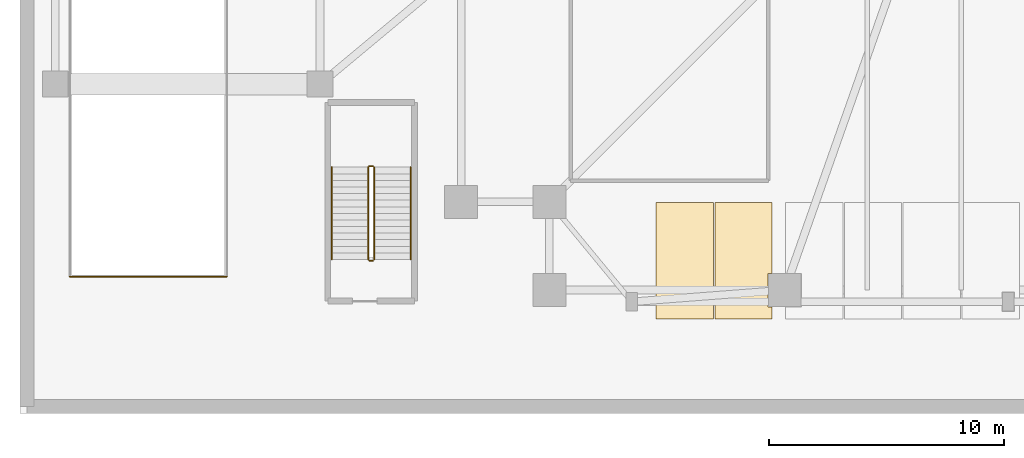
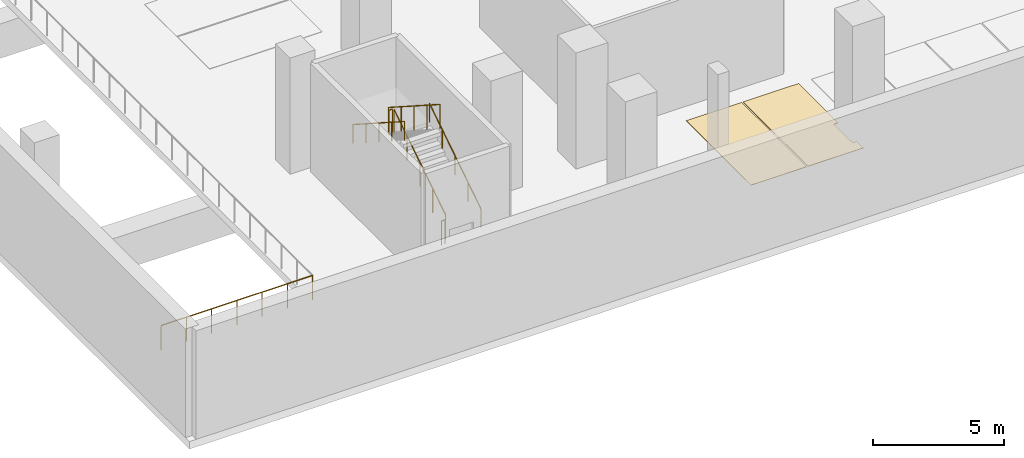
# One storey, part 8 of 14: 7 railings, 2 coverings.
"""IFC4 building model written with IfcOpenShell, lengths in metres."""

from ifc_helpers import new_model, si_unit, direction, frame, origin, origin_2d, place, context, subcontext, project, spatial, polyline, circle, outline, extrude, material, layer, layer_set, type_object, element, save


model = new_model("IFC4")

# Units and contexts
model_context = context("Model", 3, precision=1e-05, world=origin(), true_north=direction((0.0, 1.0)))
body_context = subcontext(model_context, "Body", "Model", "MODEL_VIEW")
ifc_project = project(units=[si_unit("LENGTHUNIT", "METRE"), si_unit("AREAUNIT", "SQUARE_METRE"), si_unit("VOLUMEUNIT", "CUBIC_METRE"), si_unit("PLANEANGLEUNIT", "RADIAN"), si_unit("MASSUNIT", "GRAM", prefix="KILO")], contexts=[model_context])

# Site, building, storey
site_placement = place(None, origin())
site = spatial("IfcSite", under=ifc_project, at=site_placement, CompositionType="ELEMENT")
building_placement = place(site_placement, origin())
building = spatial("IfcBuilding", under=site, at=building_placement, Name="Trevonay Congress Spire", CompositionType="ELEMENT")
storey_placement = place(building_placement, frame((0.0, 0.0, -5.39990234375)))
storey = spatial("IfcBuildingStorey", under=building, at=storey_placement, Name="B1", CompositionType="ELEMENT", Elevation=-5.39990234375)

# Coverings
ifc_material_1 = material(Name="Polished Granite Floor Tile", Category="masonry")
ifc_layer = layer(ifc_material_1, 0.02001953125, Name="Polished Granite Floor Tile")
ifc_layer_set = layer_set([ifc_layer], Name="Polished Granite Floor Tile")
covering_type = type_object("IfcCoveringType", Name="COV-FLOOR-STONE", PredefinedType="FLOORING", material=ifc_layer_set)
covering_1_placement = place(storey_placement, origin())
element("IfcCovering", 1, at=covering_1_placement, inside=storey, type_object=covering_type, Name="B1 Standard Parking Bay PK-25 floor finish", PredefinedType="FLOORING", context=body_context, shape_type="SweptSolid", body=[
    extrude(outline(polyline([(-14.969970703125, -24.469970703125), (-12.530029296875, -24.469970703125), (-12.530029296875, -19.530029296875), (-14.969970703125, -19.530029296875), (-14.969970703125, -24.469970703125)])), origin(), (0.0, 0.0, 1.0), 0.02001953125),
])
covering_2_placement = place(storey_placement, origin())
element("IfcCovering", 2, at=covering_2_placement, inside=storey, type_object=covering_type, Name="B1 Standard Parking Bay PK-26 floor finish", PredefinedType="FLOORING", context=body_context, shape_type="SweptSolid", body=[
    extrude(outline(polyline([(-10.030029296875, -24.469970703125), (-12.469970703125, -24.469970703125), (-12.469970703125, -19.530029296875), (-10.030029296875, -19.530029296875), (-10.030029296875, -22.5400390625), (-10.2099609375, -22.5400390625), (-10.2099609375, -23.9599609375), (-10.030029296875, -23.9599609375), (-10.030029296875, -24.469970703125)])), origin(), (0.0, 0.0, 1.0), 0.02001953125),
])

# Railings
ifc_material_2 = material(Name="Pale Anodised Aluminium EN AW-6063-T6", Category="aluminium")
railing_type_1 = type_object("IfcRailingType", Name="RAL-EXT-GUARD-115", PredefinedType="GUARDRAIL", material=ifc_material_2)
railing_1_placement = place(storey_placement, frame((-39.8798828125, -22.679931640625, 0.0)))
element("IfcRailing", 3, at=railing_1_placement, inside=storey, type_object=railing_type_1, Name="B1 perimeter safety guard GRD-B1-RAMPWELL-2", PredefinedType="GUARDRAIL", context=body_context, shape_type="SweptSolid", body=[
    extrude(circle(Radius=0.02392578125, at=origin_2d()), frame((0.0, 0.0, 1.1259765625), z_axis=(1.0, 0.0, 0.0), x_axis=(0.0, 1.0, 0.0)), (0.0, 0.0, 1.0), 6.659912109375),
    extrude(circle(Radius=0.02099609375, at=origin_2d()), origin(), (0.0, 0.0, 1.0), 1.101806640625),
    extrude(circle(Radius=0.02099609375, at=origin_2d()), frame((1.10986328125, 0.0, 0.0)), (0.0, 0.0, 1.0), 1.101806640625),
    extrude(circle(Radius=0.02099609375, at=origin_2d()), frame((2.219970703125, 0.0, 0.0)), (0.0, 0.0, 1.0), 1.101806640625),
    extrude(circle(Radius=0.02099609375, at=origin_2d()), frame((3.330078125, 0.0, 0.0)), (0.0, 0.0, 1.0), 1.101806640625),
    extrude(circle(Radius=0.02099609375, at=origin_2d()), frame((4.43994140625, 0.0, 0.0)), (0.0, 0.0, 1.0), 1.101806640625),
    extrude(circle(Radius=0.02099609375, at=origin_2d()), frame((5.5498046875, 0.0, 0.0)), (0.0, 0.0, 1.0), 1.101806640625),
    extrude(circle(Radius=0.02099609375, at=origin_2d()), frame((6.659912109375, 0.0, 0.0)), (0.0, 0.0, 1.0), 1.101806640625),
])
railing_type_2 = type_object("IfcRailingType", Name="RAL-STAIR-GUARD-110", PredefinedType="GUARDRAIL", material=ifc_material_2)
railing_2_placement = place(storey_placement, frame((-26.949951171875, -21.949951171875, 0.179931640625)))
element("IfcRailing", 4, at=railing_2_placement, inside=storey, type_object=railing_type_2, Name="B1 ST-3 stair guard 1", PredefinedType="GUARDRAIL", context=body_context, shape_type="SweptSolid", body=[
    extrude(circle(Radius=0.02392578125, at=origin_2d()), frame((0.0, 0.0, 1.1259765625), z_axis=(0.0, 0.841171666519, 0.540768182723), x_axis=(-1.0, 0.0, 0.0)), (0.0, 0.0, 1.0), 4.66015625),
    extrude(circle(Radius=0.02099609375, at=origin_2d()), origin(), (0.0, 0.0, 1.0), 1.101806640625),
    extrude(circle(Radius=0.02099609375, at=origin_2d()), frame((0.0, 0.97998046875, 0.6298828125)), (0.0, 0.0, 1.0), 1.101806640625),
    extrude(circle(Radius=0.02099609375, at=origin_2d()), frame((0.0, 1.9599609375, 1.260009765625)), (0.0, 0.0, 1.0), 1.101806640625),
    extrude(circle(Radius=0.02099609375, at=origin_2d()), frame((0.0, 2.93994140625, 1.89013671875)), (0.0, 0.0, 1.0), 1.101806640625),
    extrude(circle(Radius=0.02099609375, at=origin_2d()), frame((0.0, 3.919921875, 2.52001953125)), (0.0, 0.0, 1.0), 1.101806640625),
])
railing_3_placement = place(storey_placement, frame((-27.0, -17.97998046875, 2.699951171875)))
element("IfcRailing", 5, at=railing_3_placement, inside=storey, type_object=railing_type_2, Name="B1 ST-3 stair guard 2", PredefinedType="GUARDRAIL", context=body_context, shape_type="SweptSolid", body=[
    extrude(circle(Radius=0.02392578125, at=origin_2d()), frame((0.0, 0.0, 1.1259765625), z_axis=(-1.0, 0.0, 0.0), x_axis=(0.0, -1.0, 0.0)), (0.0, 0.0, 1.0), 0.14990234375),
    extrude(circle(Radius=0.02099609375, at=origin_2d()), origin(), (0.0, 0.0, 1.0), 1.101806640625),
    extrude(circle(Radius=0.02099609375, at=origin_2d()), frame((-0.14990234375, 0.0, 0.0)), (0.0, 0.0, 1.0), 1.101806640625),
])
railing_4_placement = place(storey_placement, frame((-27.199951171875, -18.030029296875, 2.8798828125)))
element("IfcRailing", 6, at=railing_4_placement, inside=storey, type_object=railing_type_2, Name="B1 ST-3 stair guard 3", PredefinedType="GUARDRAIL", context=body_context, shape_type="SweptSolid", body=[
    extrude(circle(Radius=0.02392578125, at=origin_2d()), frame((0.0, 0.0, 1.1259765625), z_axis=(0.0, -0.841171666519, 0.540768182723), x_axis=(1.0, 0.0, 0.0)), (0.0, 0.0, 1.0), 4.66015625),
    extrude(circle(Radius=0.02099609375, at=origin_2d()), origin(), (0.0, 0.0, 1.0), 1.101806640625),
    extrude(circle(Radius=0.02099609375, at=origin_2d()), frame((0.0, -0.97998046875, 0.6298828125)), (0.0, 0.0, 1.0), 1.101806640625),
    extrude(circle(Radius=0.02099609375, at=origin_2d()), frame((0.0, -1.9599609375, 1.260009765625)), (0.0, 0.0, 1.0), 1.101806640625),
    extrude(circle(Radius=0.02099609375, at=origin_2d()), frame((0.0, -2.93994140625, 1.89013671875)), (0.0, 0.0, 1.0), 1.101806640625),
    extrude(circle(Radius=0.02099609375, at=origin_2d()), frame((0.0, -3.919921875, 2.52001953125)), (0.0, 0.0, 1.0), 1.101806640625),
])
railing_5_placement = place(storey_placement, frame((-27.0, -22.0, 0.0)))
element("IfcRailing", 7, at=railing_5_placement, inside=storey, type_object=railing_type_2, Name="B1 ST-3 stair guard 4", PredefinedType="GUARDRAIL", context=body_context, shape_type="SweptSolid", body=[
    extrude(circle(Radius=0.02392578125, at=origin_2d()), frame((0.0, 0.0, 1.1259765625), z_axis=(-1.0, 0.0, 0.0), x_axis=(0.0, -1.0, 0.0)), (0.0, 0.0, 1.0), 0.14990234375),
    extrude(circle(Radius=0.02099609375, at=origin_2d()), origin(), (0.0, 0.0, 1.0), 1.101806640625),
    extrude(circle(Radius=0.02099609375, at=origin_2d()), frame((-0.14990234375, 0.0, 0.0)), (0.0, 0.0, 1.0), 1.101806640625),
])
railing_type_3 = type_object("IfcRailingType", Name="RAL-STAIR-HANDRAIL", PredefinedType="HANDRAIL", material=ifc_material_2)
railing_6_placement = place(storey_placement, frame((-25.39990234375, -21.949951171875, 0.179931640625)))
element("IfcRailing", 8, at=railing_6_placement, inside=storey, type_object=railing_type_3, Name="B1 ST-3 stair handrail 1", PredefinedType="HANDRAIL", context=body_context, shape_type="SweptSolid", body=[
    extrude(circle(Radius=0.02392578125, at=origin_2d()), frame((0.0, 0.0, 0.8759765625), z_axis=(0.0, 0.841171666519, 0.540768182723), x_axis=(-1.0, 0.0, 0.0)), (0.0, 0.0, 1.0), 4.66015625),
    extrude(circle(Radius=0.02099609375, at=origin_2d()), origin(), (0.0, 0.0, 1.0), 0.851806640625),
    extrude(circle(Radius=0.02099609375, at=origin_2d()), frame((0.0, 0.97998046875, 0.6298828125)), (0.0, 0.0, 1.0), 0.851806640625),
    extrude(circle(Radius=0.02099609375, at=origin_2d()), frame((0.0, 1.9599609375, 1.260009765625)), (0.0, 0.0, 1.0), 0.851806640625),
    extrude(circle(Radius=0.02099609375, at=origin_2d()), frame((0.0, 2.93994140625, 1.89013671875)), (0.0, 0.0, 1.0), 0.851806640625),
    extrude(circle(Radius=0.02099609375, at=origin_2d()), frame((0.0, 3.919921875, 2.52001953125)), (0.0, 0.0, 1.0), 0.851806640625),
])
railing_7_placement = place(storey_placement, frame((-28.75, -18.030029296875, 2.8798828125)))
element("IfcRailing", 9, at=railing_7_placement, inside=storey, type_object=railing_type_3, Name="B1 ST-3 stair handrail 2", PredefinedType="HANDRAIL", context=body_context, shape_type="SweptSolid", body=[
    extrude(circle(Radius=0.02392578125, at=origin_2d()), frame((0.0, 0.0, 0.8759765625), z_axis=(0.0, -0.841171666519, 0.540768182723), x_axis=(1.0, 0.0, 0.0)), (0.0, 0.0, 1.0), 4.66015625),
    extrude(circle(Radius=0.02099609375, at=origin_2d()), origin(), (0.0, 0.0, 1.0), 0.851806640625),
    extrude(circle(Radius=0.02099609375, at=origin_2d()), frame((0.0, -0.97998046875, 0.6298828125)), (0.0, 0.0, 1.0), 0.851806640625),
    extrude(circle(Radius=0.02099609375, at=origin_2d()), frame((0.0, -1.9599609375, 1.260009765625)), (0.0, 0.0, 1.0), 0.851806640625),
    extrude(circle(Radius=0.02099609375, at=origin_2d()), frame((0.0, -2.93994140625, 1.89013671875)), (0.0, 0.0, 1.0), 0.851806640625),
    extrude(circle(Radius=0.02099609375, at=origin_2d()), frame((0.0, -3.919921875, 2.52001953125)), (0.0, 0.0, 1.0), 0.851806640625),
])

save(model, "model.ifc")
